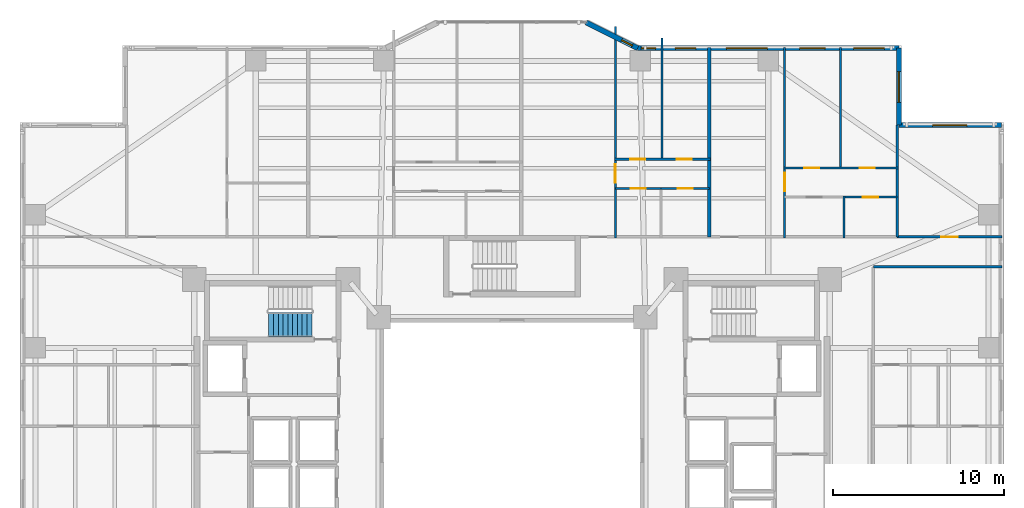
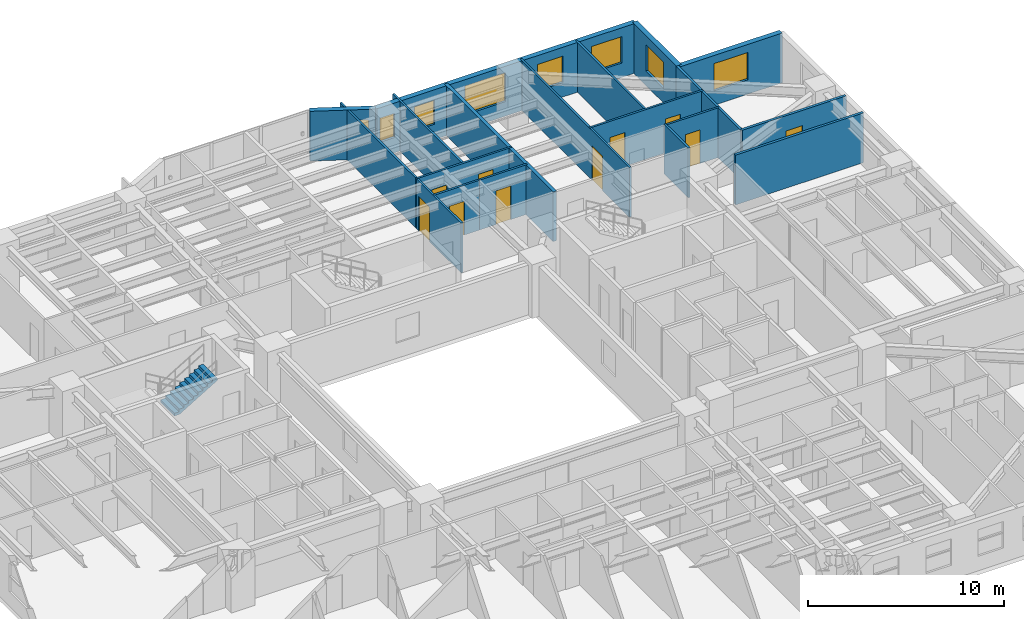
# One storey, part 16 of 22: 18 walls, 10 doors, 8 windows, 1 stair flight, 18 openings, 1 element without a shape of its own.
"""IFC4 building model written with IfcOpenShell, lengths in metres."""

import ifcopenshell
import ifcopenshell.guid

model = None  # the IFC model being written
_history = None  # IfcOwnerHistory: only IFC2X3 demands one
_inside = {}  # id of a spatial element -> (the spatial element, [elements in it])
_under = {}  # id of a project, library or spatial element -> (it, [spatial elements below it])
_declared = {}  # id of a project -> (the project, [libraries it declares])
_typed = {}  # id of a type object -> (the type object, [elements of that type])
_made_of = {}  # id of a material, layer set ... -> (it, [elements and type objects made of it])


def new_model(schema):
    """Start an empty IFC model of exactly this schema.

    Asked for "IFC4X3", IfcOpenShell would pick the latest addendum, in which some entities
    have other attributes; the version numbers below select the first issue.
    IFC2X3 requires an IfcOwnerHistory on every rooted entity: one is made here for all.
    """
    global model, _history
    if schema == "IFC4X3":
        model = ifcopenshell.file(schema_version=(4, 3, 0, 0))
    else:
        model = ifcopenshell.file(schema=schema)
    _inside.clear()
    _under.clear()
    _declared.clear()
    _typed.clear()
    _made_of.clear()
    _history = None
    if model.schema == "IFC2X3":
        org = make("IfcOrganization", Name="unknown")
        user = make(
            "IfcPersonAndOrganization",
            ThePerson=make("IfcPerson", FamilyName="unknown"),
            TheOrganization=org,
        )
        app = make(
            "IfcApplication",
            ApplicationDeveloper=org,
            Version="unknown",
            ApplicationFullName="unknown",
            ApplicationIdentifier="unknown",
        )
        _history = make(
            "IfcOwnerHistory",
            OwningUser=user,
            OwningApplication=app,
            ChangeAction="ADDED",
            CreationDate=0,
        )
    return model


def make(cls, **values):
    """One entity of the class cls with the attributes given. An attribute that is None is left unset."""
    return model.create_entity(
        cls, **{name: value for name, value in values.items() if value is not None}
    )


def rooted(cls, **values):
    """An entity with a GlobalId (a new one), such as an element, a storey or a relation."""
    return make(cls, GlobalId=ifcopenshell.guid.new(), OwnerHistory=_history, **values)


def si_unit(unit_type, name, prefix=None):
    """IfcSIUnit, for example si_unit("LENGTHUNIT", "METRE", prefix="MILLI")."""
    return make("IfcSIUnit", UnitType=unit_type, Prefix=prefix, Name=name)


def assignment(units):
    """IfcUnitAssignment: the units of a project."""
    return None if units is None else make("IfcUnitAssignment", Units=units)


def point(xyz):
    """IfcCartesianPoint."""
    return None if xyz is None else make("IfcCartesianPoint", Coordinates=xyz)


def direction(xyz):
    """IfcDirection."""
    return None if xyz is None else make("IfcDirection", DirectionRatios=xyz)


def frame(location, z_axis=None, x_axis=None):
    """IfcAxis2Placement3D, a coordinate frame: its origin and axes. An axis left out is left unset."""
    return make(
        "IfcAxis2Placement3D",
        Location=point(location),
        Axis=direction(z_axis),
        RefDirection=direction(x_axis),
    )


def frame_2d(location, x_axis=None):
    """IfcAxis2Placement2D, a coordinate frame in the plane: its origin and x axis."""
    return make(
        "IfcAxis2Placement2D", Location=point(location), RefDirection=direction(x_axis)
    )


def origin():
    """The frame at (0, 0, 0) with its axes left unset."""
    return frame((0.0, 0.0, 0.0))


def place(relative_to, where):
    """IfcLocalPlacement: puts the frame where relative to a parent placement (None: the world)."""
    return make(
        "IfcLocalPlacement", PlacementRelTo=relative_to, RelativePlacement=where
    )


def context(
    kind, dimensions, precision=None, world=None, true_north=None, identifier=None
):
    """IfcGeometricRepresentationContext, for example the 3D "Model" context."""
    return make(
        "IfcGeometricRepresentationContext",
        ContextIdentifier=identifier,
        ContextType=kind,
        CoordinateSpaceDimension=dimensions,
        Precision=precision,
        WorldCoordinateSystem=world,
        TrueNorth=true_north,
    )


def subcontext(parent, identifier, kind, view, scale=None):
    """IfcGeometricRepresentationSubContext, for example "Body" below "Model"."""
    return make(
        "IfcGeometricRepresentationSubContext",
        ContextIdentifier=identifier,
        ContextType=kind,
        ParentContext=parent,
        TargetScale=scale,
        TargetView=view,
    )


def project(units=None, contexts=None):
    """IfcProject with its units and contexts."""
    return rooted(
        "IfcProject",
        Name="project",
        RepresentationContexts=contexts,
        UnitsInContext=assignment(units),
    )


def spatial(cls, under=None, at=None, **own):
    """A site, building, storey or space (cls), placed at a placement, below another one or the project."""
    s = rooted(cls, ObjectPlacement=at, **own)
    if under is not None:
        _under.setdefault(under.id(), (under, []))[1].append(s)
    return s


def polyline(points):
    """IfcPolyline through the points."""
    return make("IfcPolyline", Points=[point(p) for p in points])


def profile(cls, at=None, kind="AREA", **sizes):
    """A parametric profile (cls). Its sizes go by their IFC names, for example OverallWidth=200.0."""
    return make(cls, ProfileType=kind, Position=at, **sizes)


def rectangle(**sizes):
    """IfcRectangleProfileDef."""
    return profile("IfcRectangleProfileDef", **sizes)


def outline(outer, holes=None, kind="AREA"):
    """IfcArbitraryClosedProfileDef: a profile drawn as a closed curve; with holes, ...WithVoids."""
    if holes is None:
        return make("IfcArbitraryClosedProfileDef", ProfileType=kind, OuterCurve=outer)
    return make(
        "IfcArbitraryProfileDefWithVoids",
        ProfileType=kind,
        OuterCurve=outer,
        InnerCurves=holes,
    )


def extrude(swept, where, along, depth):
    """IfcExtrudedAreaSolid: the profile swept, set in the frame where, extruded along a direction by depth."""
    return make(
        "IfcExtrudedAreaSolid",
        SweptArea=swept,
        Position=where,
        ExtrudedDirection=direction(along),
        Depth=depth,
    )


def shape(context_of_items, identifier, shape_type, items):
    """IfcShapeRepresentation: the items that make up one representation, for example the "Body"."""
    return make(
        "IfcShapeRepresentation",
        ContextOfItems=context_of_items,
        RepresentationIdentifier=identifier,
        RepresentationType=shape_type,
        Items=items,
    )


def material(Name=None, Category=None):
    """IfcMaterial."""
    return make("IfcMaterial", Name=Name, Category=Category)


def layer(
    of_material, thickness, ventilated=None, Name=None, Category=None, Priority=None
):
    """IfcMaterialLayer: one layer of a wall or slab, of a material (None: an air gap)."""
    return make(
        "IfcMaterialLayer",
        Material=of_material,
        LayerThickness=thickness,
        IsVentilated=ventilated,
        Name=Name,
        Category=Category,
        Priority=Priority,
    )


def layer_set(layers, Name=None):
    """IfcMaterialLayerSet."""
    return make("IfcMaterialLayerSet", MaterialLayers=layers, LayerSetName=Name)


def made_of(thing, what):
    """Note that an element or type object is made of a material, layer set ...; save() writes the relation."""
    if what is not None:
        _made_of.setdefault(what.id(), (what, []))[1].append(thing)
    return thing


def type_object(cls, material=None, **own):
    """A type object (cls), such as IfcWallType, which elements share."""
    return made_of(rooted(cls, **own), material)


def element(
    cls,
    number,
    at=None,
    inside=None,
    cuts=None,
    type_object=None,
    material=None,
    context=None,
    identifier="Body",
    shape_type=None,
    held_by="IfcProductDefinitionShape",
    body=None,
    shapes=None,
    **own,
):
    """One element of the class cls, such as IfcWall. Its Tag is "e" and its number.

    at: its placement. inside: the storey or other place that contains it. cuts: it is an
    opening in that element (IfcRelVoidsElement). A single representation is given by context,
    identifier, shape_type and body (its items); several are given by shapes. held_by: the class
    of the entity that holds the representations. save() writes the other relations.
    """
    e = rooted(cls, Tag="e%d" % number, ObjectPlacement=at, **own)
    if body is not None:
        shapes = [shape(context, identifier, shape_type, body)]
    if shapes is not None:
        e.Representation = make(held_by, Representations=shapes)
    if inside is not None:
        _inside.setdefault(inside.id(), (inside, []))[1].append(e)
    if cuts is not None:
        rooted(
            "IfcRelVoidsElement", RelatingBuildingElement=cuts, RelatedOpeningElement=e
        )
    if type_object is not None:
        _typed.setdefault(type_object.id(), (type_object, []))[1].append(e)
    return made_of(e, material)


def fill(opening, filler):
    """IfcRelFillsElement: the door or window that sits in an opening."""
    return rooted(
        "IfcRelFillsElement",
        RelatingOpeningElement=opening,
        RelatedBuildingElement=filler,
    )


def aggregate(whole, parts):
    """IfcRelAggregates: a whole, such as a stair, and the parts it consists of."""
    return rooted("IfcRelAggregates", RelatingObject=whole, RelatedObjects=parts)


def save(model, path):
    """Write the relations noted so far, then the file.

    IfcRelAggregates (storeys below a building ...), IfcRelContainedInSpatialStructure (elements
    in a storey), IfcRelDefinesByType, IfcRelAssociatesMaterial and IfcRelDeclares: one each for
    every whole, place, type object, material and project.
    """
    for whole, parts in _under.values():
        aggregate(whole, parts)
    for where, things in _inside.values():
        rooted(
            "IfcRelContainedInSpatialStructure",
            RelatedElements=things,
            RelatingStructure=where,
        )
    for kind, things in _typed.values():
        rooted("IfcRelDefinesByType", RelatedObjects=things, RelatingType=kind)
    for what, things in _made_of.values():
        rooted("IfcRelAssociatesMaterial", RelatedObjects=things, RelatingMaterial=what)
    for by, libraries in _declared.values():
        rooted("IfcRelDeclares", RelatingContext=by, RelatedDefinitions=libraries)
    model.write(path)


model = new_model("IFC4")

# Units and contexts
model_context = context("Model", 3, precision=1e-05, world=origin(), true_north=direction((0.0, 1.0)))
body_context = subcontext(model_context, "Body", "Model", "MODEL_VIEW")
ifc_project = project(units=[si_unit("LENGTHUNIT", "METRE"), si_unit("AREAUNIT", "SQUARE_METRE"), si_unit("VOLUMEUNIT", "CUBIC_METRE"), si_unit("PLANEANGLEUNIT", "RADIAN"), si_unit("MASSUNIT", "GRAM", prefix="KILO")], contexts=[model_context])

# Site, building, storey
site_placement = place(None, origin())
site = spatial("IfcSite", under=ifc_project, at=site_placement, CompositionType="ELEMENT")
building_placement = place(site_placement, origin())
building = spatial("IfcBuilding", under=site, at=building_placement, Name="Tarnavaz Court Tower", CompositionType="ELEMENT")
storey_placement = place(building_placement, frame((0.0, 0.0, 27.35009765625)))
storey = spatial("IfcBuildingStorey", under=building, at=storey_placement, Name="L06", CompositionType="ELEMENT", Elevation=27.35009765625)

# Wall, opening, window
ifc_material_1 = material(Name="Precast Concrete C40/50", Category="concrete")
ifc_layer_1 = layer(ifc_material_1, 0.300048828125)
ifc_layer_set_1 = layer_set([ifc_layer_1], Name="Precast Concrete C40/50")
wall_type_1 = type_object("IfcWallType", Name="WL-EXT-300", PredefinedType="SOLIDWALL", material=ifc_layer_set_1)
wall_1_placement = place(storey_placement, frame((4.35009765625, 25.050048828125, 0.0), z_axis=(0.0, 0.0, 1.0), x_axis=(0.894427191, -0.4472135955, 0.0)))
wall_1 = element("IfcWall", 1, at=wall_1_placement, inside=storey, type_object=wall_type_1, Name="L06 Exterior Terracotta Facade Wall 08", PredefinedType="SOLIDWALL", context=body_context, shape_type="SweptSolid", body=[
    extrude(rectangle(XDim=3.35400390625, YDim=0.300048828125, at=frame_2d((1.677001953125, 0.0))), origin(), (0.0, 0.0, 1.0), 3.099853515625),
])
opening_1_placement = place(wall_1_placement, frame((2.308349609375, 0.0, 0.949951171875)))
opening_1 = element("IfcOpeningElement", 2, at=opening_1_placement, cuts=wall_1, Name="Opening W16", PredefinedType="OPENING", context=body_context, shape_type="SweptSolid", body=[
    extrude(rectangle(XDim=0.699951171875, YDim=1.5, at=frame_2d((0.35009765625, 0.75))), frame((0.0, 0.159912109375, 0.0), z_axis=(0.0, -1.0, 0.0), x_axis=(1.0, 0.0, 0.0)), (0.0, 0.0, 1.0), 0.320068359375),
])
ifc_material_2 = material(Name="Double-Glazed Solar Low-E Glass", Category="glass")
window_type_1 = type_object("IfcWindowType", Name="WN-APT-700", PartitioningType="SINGLE_PANEL", PredefinedType="WINDOW", material=ifc_material_2)
window_1_placement = place(opening_1_placement, origin())
window_1 = element("IfcWindow", 3, at=window_1_placement, inside=storey, type_object=window_type_1, Name="L06 Flat 03 Principal Bedroom Window", OverallHeight=1.5, OverallWidth=0.699951171875, PartitioningType="SINGLE_PANEL", PredefinedType="WINDOW", context=body_context, shape_type="SweptSolid", body=[
    extrude(rectangle(XDim=0.699951171875, YDim=1.5, at=frame_2d((0.35009765625, 0.75))), frame((0.0, 0.030029296875, 0.0), z_axis=(0.0, -1.0, 0.0), x_axis=(1.0, 0.0, 0.0)), (0.0, 0.0, 1.0), 0.06005859375),
])
fill(opening_1, window_1)

# Wall, openings, windows
wall_2_placement = place(storey_placement, frame((7.35009765625, 23.550048828125, 0.0), z_axis=(0.0, 0.0, 1.0), x_axis=(1.0, 0.0, 0.0)))
wall_2 = element("IfcWall", 4, at=wall_2_placement, inside=storey, type_object=wall_type_1, Name="L06 Exterior Terracotta Facade Wall 09", PredefinedType="SOLIDWALL", context=body_context, shape_type="SweptSolid", body=[
    extrude(rectangle(XDim=15.2998046875, YDim=0.300048828125, at=frame_2d((7.64990234375, 0.0))), origin(), (0.0, 0.0, 1.0), 3.099853515625),
])
opening_2_placement = place(wall_2_placement, frame((0.205078125, 0.0, 0.949951171875)))
opening_2 = element("IfcOpeningElement", 5, at=opening_2_placement, cuts=wall_2, Name="Opening W15", PredefinedType="OPENING", context=body_context, shape_type="SweptSolid", body=[
    extrude(rectangle(XDim=0.85009765625, YDim=1.5, at=frame_2d((0.425048828125, 0.75))), frame((0.0, 0.159912109375, 0.0), z_axis=(0.0, -1.0, 0.0), x_axis=(1.0, 0.0, 0.0)), (0.0, 0.0, 1.0), 0.320068359375),
])
opening_3_placement = place(wall_2_placement, frame((2.209228515625, 0.0, 0.949951171875)))
opening_3 = element("IfcOpeningElement", 6, at=opening_3_placement, cuts=wall_2, Name="Opening W05", PredefinedType="OPENING", context=body_context, shape_type="SweptSolid", body=[
    extrude(rectangle(XDim=1.199951171875, YDim=1.5, at=frame_2d((0.60009765625, 0.75))), frame((0.0, 0.159912109375, 0.0), z_axis=(0.0, -1.0, 0.0), x_axis=(1.0, 0.0, 0.0)), (0.0, 0.0, 1.0), 0.320068359375),
])
opening_4_placement = place(wall_2_placement, frame((5.19580078125, 0.0, 0.89990234375)))
opening_4 = element("IfcOpeningElement", 7, at=opening_4_placement, cuts=wall_2, Name="Opening W06", PredefinedType="OPENING", context=body_context, shape_type="SweptSolid", body=[
    extrude(rectangle(XDim=2.39990234375, YDim=1.800048828125, at=frame_2d((1.199951171875, 0.89990234375))), frame((0.0, 0.159912109375, 0.0), z_axis=(0.0, -1.0, 0.0), x_axis=(1.0, 0.0, 0.0)), (0.0, 0.0, 1.0), 0.320068359375),
])
opening_5_placement = place(wall_2_placement, frame((9.4833984375, 0.0, 0.89990234375)))
opening_5 = element("IfcOpeningElement", 8, at=opening_5_placement, cuts=wall_2, Name="Opening W03", PredefinedType="OPENING", context=body_context, shape_type="SweptSolid", body=[
    extrude(rectangle(XDim=1.5, YDim=1.64990234375, at=frame_2d((0.75, 0.824951171875))), frame((0.0, 0.159912109375, 0.0), z_axis=(0.0, -1.0, 0.0), x_axis=(1.0, 0.0, 0.0)), (0.0, 0.0, 1.0), 0.320068359375),
])
opening_6_placement = place(wall_2_placement, frame((12.644287109375, 0.0, 0.89990234375)))
opening_6 = element("IfcOpeningElement", 9, at=opening_6_placement, cuts=wall_2, Name="Opening W01", PredefinedType="OPENING", context=body_context, shape_type="SweptSolid", body=[
    extrude(rectangle(XDim=1.800048828125, YDim=1.64990234375, at=frame_2d((0.89990234375, 0.824951171875))), frame((0.0, 0.159912109375, 0.0), z_axis=(0.0, -1.0, 0.0), x_axis=(1.0, 0.0, 0.0)), (0.0, 0.0, 1.0), 0.320068359375),
])
window_type_2 = type_object("IfcWindowType", Name="WN-APT-1200", PartitioningType="SINGLE_PANEL", PredefinedType="WINDOW", material=ifc_material_2)
window_2_placement = place(opening_3_placement, origin())
window_2 = element("IfcWindow", 10, at=window_2_placement, inside=storey, type_object=window_type_2, Name="L06 Flat 03 Bedroom 2 Window", OverallHeight=1.5, OverallWidth=1.199951171875, PartitioningType="SINGLE_PANEL", PredefinedType="WINDOW", context=body_context, shape_type="SweptSolid", body=[
    extrude(rectangle(XDim=1.199951171875, YDim=1.5, at=frame_2d((0.60009765625, 0.75))), frame((0.0, 0.030029296875, 0.0), z_axis=(0.0, -1.0, 0.0), x_axis=(1.0, 0.0, 0.0)), (0.0, 0.0, 1.0), 0.06005859375),
])
fill(opening_3, window_2)
window_type_3 = type_object("IfcWindowType", Name="WN-APT-1500", PartitioningType="DOUBLE_PANEL_VERTICAL", PredefinedType="WINDOW", material=ifc_material_2)
window_3_placement = place(opening_5_placement, origin())
window_3 = element("IfcWindow", 11, at=window_3_placement, inside=storey, type_object=window_type_3, Name="L06 Flat 04 Principal Bedroom Window", OverallHeight=1.64990234375, OverallWidth=1.5, PartitioningType="SINGLE_PANEL", PredefinedType="WINDOW", context=body_context, shape_type="SweptSolid", body=[
    extrude(rectangle(XDim=1.5, YDim=1.64990234375, at=frame_2d((0.75, 0.824951171875))), frame((0.0, 0.030029296875, 0.0), z_axis=(0.0, -1.0, 0.0), x_axis=(1.0, 0.0, 0.0)), (0.0, 0.0, 1.0), 0.06005859375),
])
fill(opening_5, window_3)
window_type_4 = type_object("IfcWindowType", Name="WN-APT-1800", PartitioningType="DOUBLE_PANEL_VERTICAL", PredefinedType="WINDOW", material=ifc_material_2)
window_4_placement = place(opening_6_placement, origin())
window_4 = element("IfcWindow", 12, at=window_4_placement, inside=storey, type_object=window_type_4, Name="L06 Flat 04 Bedroom 2 Window", OverallHeight=1.64990234375, OverallWidth=1.800048828125, PartitioningType="SINGLE_PANEL", PredefinedType="WINDOW", context=body_context, shape_type="SweptSolid", body=[
    extrude(rectangle(XDim=1.800048828125, YDim=1.64990234375, at=frame_2d((0.89990234375, 0.824951171875))), frame((0.0, 0.030029296875, 0.0), z_axis=(0.0, -1.0, 0.0), x_axis=(1.0, 0.0, 0.0)), (0.0, 0.0, 1.0), 0.06005859375),
])
fill(opening_6, window_4)
window_type_5 = type_object("IfcWindowType", Name="WN-APT-2400", PartitioningType="TRIPLE_PANEL_VERTICAL", PredefinedType="WINDOW", material=ifc_material_2)
window_5_placement = place(opening_4_placement, origin())
window_5 = element("IfcWindow", 13, at=window_5_placement, inside=storey, type_object=window_type_5, Name="L06 Flat 04 Living and Dining Room Window", OverallHeight=1.800048828125, OverallWidth=2.39990234375, PartitioningType="SINGLE_PANEL", PredefinedType="WINDOW", context=body_context, shape_type="SweptSolid", body=[
    extrude(rectangle(XDim=2.39990234375, YDim=1.800048828125, at=frame_2d((1.199951171875, 0.89990234375))), frame((0.0, 0.030029296875, 0.0), z_axis=(0.0, -1.0, 0.0), x_axis=(1.0, 0.0, 0.0)), (0.0, 0.0, 1.0), 0.06005859375),
])
fill(opening_4, window_5)
window_type_6 = type_object("IfcWindowType", Name="WN-APT-850", PartitioningType="SINGLE_PANEL", PredefinedType="WINDOW", material=ifc_material_2)
window_6_placement = place(opening_2_placement, origin())
window_6 = element("IfcWindow", 14, at=window_6_placement, inside=storey, type_object=window_type_6, Name="L06 Flat 03 Principal Bedroom Window", OverallHeight=1.5, OverallWidth=0.85009765625, PartitioningType="SINGLE_PANEL", PredefinedType="WINDOW", context=body_context, shape_type="SweptSolid", body=[
    extrude(rectangle(XDim=0.85009765625, YDim=1.5, at=frame_2d((0.425048828125, 0.75))), frame((0.0, 0.030029296875, 0.0), z_axis=(0.0, -1.0, 0.0), x_axis=(1.0, 0.0, 0.0)), (0.0, 0.0, 1.0), 0.06005859375),
])
fill(opening_2, window_6)

# Wall, opening, window
wall_3_placement = place(storey_placement, frame((22.64990234375, 23.550048828125, 0.0), z_axis=(0.0, 0.0, 1.0), x_axis=(0.0, -1.0, 0.0)))
wall_3 = element("IfcWall", 15, at=wall_3_placement, inside=storey, type_object=wall_type_1, Name="L06 Exterior Terracotta Facade Wall 10", PredefinedType="SOLIDWALL", context=body_context, shape_type="SweptSolid", body=[
    extrude(rectangle(XDim=4.5, YDim=0.300048828125, at=frame_2d((2.25, 0.0))), origin(), (0.0, 0.0, 1.0), 3.099853515625),
])
opening_7_placement = place(wall_3_placement, frame((1.367431640625, 0.0, 0.89990234375)))
opening_7 = element("IfcOpeningElement", 16, at=opening_7_placement, cuts=wall_3, Name="Opening W01", PredefinedType="OPENING", context=body_context, shape_type="SweptSolid", body=[
    extrude(rectangle(XDim=1.800048828125, YDim=1.64990234375, at=frame_2d((0.89990234375, 0.824951171875))), frame((0.0, 0.159912109375, 0.0), z_axis=(0.0, -1.0, 0.0), x_axis=(1.0, 0.0, 0.0)), (0.0, 0.0, 1.0), 0.320068359375),
])
window_7_placement = place(opening_7_placement, origin())
window_7 = element("IfcWindow", 17, at=window_7_placement, inside=storey, type_object=window_type_4, Name="L06 Flat 04 Bedroom 2 Window", OverallHeight=1.64990234375, OverallWidth=1.800048828125, PartitioningType="SINGLE_PANEL", PredefinedType="WINDOW", context=body_context, shape_type="SweptSolid", body=[
    extrude(rectangle(XDim=1.800048828125, YDim=1.64990234375, at=frame_2d((0.89990234375, 0.824951171875))), frame((0.0, 0.030029296875, 0.0), z_axis=(0.0, -1.0, 0.0), x_axis=(1.0, 0.0, 0.0)), (0.0, 0.0, 1.0), 0.06005859375),
])
fill(opening_7, window_7)

wall_4_placement = place(storey_placement, frame((22.64990234375, 19.050048828125, 0.0), z_axis=(0.0, 0.0, 1.0), x_axis=(1.0, 0.0, 0.0)))
wall_4 = element("IfcWall", 18, at=wall_4_placement, inside=storey, type_object=wall_type_1, Name="L06 Exterior Terracotta Facade Wall 11", PredefinedType="SOLIDWALL", context=body_context, shape_type="SweptSolid", body=[
    extrude(rectangle(XDim=6.0, YDim=0.300048828125, at=frame_2d((3.0, 0.0))), origin(), (0.0, 0.0, 1.0), 3.099853515625),
])
opening_8_placement = place(wall_4_placement, frame((1.97509765625, 0.0, 0.89990234375)))
opening_8 = element("IfcOpeningElement", 19, at=opening_8_placement, cuts=wall_4, Name="Opening W08", PredefinedType="OPENING", context=body_context, shape_type="SweptSolid", body=[
    extrude(rectangle(XDim=2.0, YDim=1.699951171875, at=frame_2d((1.0, 0.85009765625))), frame((0.0, 0.159912109375, 0.0), z_axis=(0.0, -1.0, 0.0), x_axis=(1.0, 0.0, 0.0)), (0.0, 0.0, 1.0), 0.320068359375),
])
window_type_7 = type_object("IfcWindowType", Name="WN-APT-2000", PartitioningType="DOUBLE_PANEL_VERTICAL", PredefinedType="WINDOW", material=ifc_material_2)
window_8_placement = place(opening_8_placement, origin())
window_8 = element("IfcWindow", 20, at=window_8_placement, inside=storey, type_object=window_type_7, Name="L06 North-East Corner Sunroom Study Window", OverallHeight=1.699951171875, OverallWidth=2.0, PartitioningType="SINGLE_PANEL", PredefinedType="WINDOW", context=body_context, shape_type="SweptSolid", body=[
    extrude(rectangle(XDim=2.0, YDim=1.699951171875, at=frame_2d((1.0, 0.85009765625))), frame((0.0, 0.030029296875, 0.0), z_axis=(0.0, -1.0, 0.0), x_axis=(1.0, 0.0, 0.0)), (0.0, 0.0, 1.0), 0.06005859375),
])
fill(opening_8, window_8)

# Wall
ifc_material_3 = material(Name="Gypsum Fire-Board on Acoustic Metal Stud", Category="masonry")
ifc_layer_2 = layer(ifc_material_3, 0.14990234375)
ifc_layer_set_2 = layer_set([ifc_layer_2], Name="Gypsum Fire-Board on Acoustic Metal Stud")
wall_type_2 = type_object("IfcWallType", Name="WL-FIRE-150", PredefinedType="PARTITIONING", material=ifc_layer_set_2)
wall_5_placement = place(storey_placement, frame((21.14990234375, 10.75, 0.0), z_axis=(0.0, 0.0, 1.0), x_axis=(1.0, 0.0, 0.0)))
element("IfcWall", 21, at=wall_5_placement, inside=storey, type_object=wall_type_2, Name="L06 Interior Partition 148", PredefinedType="PARTITIONING", context=body_context, shape_type="SweptSolid", body=[
    extrude(rectangle(XDim=7.530029296875, YDim=0.14990234375, at=frame_2d((3.76513671875, 0.0))), origin(), (0.0, 0.0, 1.0), 3.099853515625),
])

# Wall, opening, door
wall_6_placement = place(storey_placement, frame((22.550048828125, 12.5, 0.0), z_axis=(0.0, 0.0, 1.0), x_axis=(1.0, 0.0, 0.0)))
wall_6 = element("IfcWall", 22, at=wall_6_placement, inside=storey, type_object=wall_type_2, Name="L06 Interior Partition 154", PredefinedType="PARTITIONING", context=body_context, shape_type="SweptSolid", body=[
    extrude(rectangle(XDim=6.1298828125, YDim=0.14990234375, at=frame_2d((3.06494140625, 0.0))), origin(), (0.0, 0.0, 1.0), 3.099853515625),
])
opening_9_placement = place(wall_6_placement, frame((2.590087890625, 0.0, 0.0)))
opening_9 = element("IfcOpeningElement", 23, at=opening_9_placement, cuts=wall_6, Name="Opening D13", PredefinedType="OPENING", context=body_context, shape_type="SweptSolid", body=[
    extrude(rectangle(XDim=0.949951171875, YDim=2.14990234375, at=frame_2d((0.47509765625, 1.074951171875))), frame((0.0, 0.0849609375, 0.0), z_axis=(0.0, -1.0, 0.0), x_axis=(1.0, 0.0, 0.0)), (0.0, 0.0, 1.0), 0.169921875),
])
ifc_material_4 = material(Name="Engineered Oak Timber", Category="wood")
door_type_1 = type_object("IfcDoorType", Name="DR-INT-950", OperationType="NOTDEFINED", PredefinedType="DOOR", material=ifc_material_4)
door_1_placement = place(opening_9_placement, origin())
door_1 = element("IfcDoor", 24, at=door_1_placement, inside=storey, type_object=door_type_1, Name="L06 NE Sunroom Door", OperationType="SINGLE_SWING_RIGHT", OverallHeight=2.14990234375, OverallWidth=0.949951171875, PredefinedType="DOOR", context=body_context, shape_type="SweptSolid", body=[
    extrude(rectangle(XDim=0.949951171875, YDim=2.14990234375, at=frame_2d((0.47509765625, 1.074951171875))), frame((0.0, 0.02490234375, 0.0), z_axis=(0.0, -1.0, 0.0), x_axis=(1.0, 0.0, 0.0)), (0.0, 0.0, 1.0), 0.050048828125),
])
fill(opening_9, door_1)

# Wall
ifc_material_5 = material(Name="Autoclaved Aerated Concrete Blockwork", Category="masonry")
ifc_layer_3 = layer(ifc_material_5, 0.199951171875)
ifc_layer_set_3 = layer_set([ifc_layer_3], Name="Autoclaved Aerated Concrete Blockwork")
wall_type_3 = type_object("IfcWallType", Name="WL-FIRE-200", PredefinedType="SOLIDWALL", material=ifc_layer_set_3)
wall_7_placement = place(storey_placement, frame((11.550048828125, 12.5, 0.0), z_axis=(0.0, 0.0, 1.0), x_axis=(0.0, 1.0, 0.0)))
element("IfcWall", 25, at=wall_7_placement, inside=storey, type_object=wall_type_3, Name="L06 Party Wall 099", PredefinedType="SOLIDWALL", context=body_context, shape_type="SweptSolid", body=[
    extrude(rectangle(XDim=11.10009765625, YDim=0.199951171875, at=frame_2d((5.550048828125, 0.0))), origin(), (0.0, 0.0, 1.0), 3.099853515625),
])

# Wall, opening, door
ifc_material_6 = material(Name="Moisture-Resistant Gypsum Board Partition", Category="masonry")
ifc_layer_4 = layer(ifc_material_6, 0.1201171875)
ifc_layer_set_4 = layer_set([ifc_layer_4], Name="Moisture-Resistant Gypsum Board Partition")
wall_type_4 = type_object("IfcWallType", Name="WL-PART-120", PredefinedType="PARTITIONING", material=ifc_layer_set_4)
wall_8_placement = place(storey_placement, frame((6.050048828125, 12.43994140625, 0.0), z_axis=(0.0, 0.0, 1.0), x_axis=(0.0, 1.0, 0.0)))
wall_8 = element("IfcWall", 26, at=wall_8_placement, inside=storey, type_object=wall_type_4, Name="L06 Interior Partition 100", PredefinedType="PARTITIONING", context=body_context, shape_type="SweptSolid", body=[
    extrude(rectangle(XDim=12.381103515625, YDim=0.1201171875, at=frame_2d((6.1904296875, 0.0))), origin(), (0.0, 0.0, 1.0), 3.099853515625),
])
opening_10_placement = place(wall_8_placement, frame((3.2451171875, 0.0, 0.0)))
opening_10 = element("IfcOpeningElement", 27, at=opening_10_placement, cuts=wall_8, Name="Opening D12", PredefinedType="OPENING", context=body_context, shape_type="SweptSolid", body=[
    extrude(rectangle(XDim=1.080078125, YDim=2.14990234375, at=frame_2d((0.5400390625, 1.074951171875))), frame((0.0, 0.070068359375, 0.0), z_axis=(0.0, -1.0, 0.0), x_axis=(1.0, 0.0, 0.0)), (0.0, 0.0, 1.0), 0.14013671875),
])
door_type_2 = type_object("IfcDoorType", Name="DR-INT-1100", OperationType="NOTDEFINED", PredefinedType="DOOR", material=ifc_material_4)
door_2_placement = place(opening_10_placement, origin())
door_2 = element("IfcDoor", 28, at=door_2_placement, inside=storey, type_object=door_type_2, Name="L06 Flat 03 Foyer Door", OperationType="SINGLE_SWING_RIGHT", OverallHeight=2.14990234375, OverallWidth=1.080078125, PredefinedType="DOOR", context=body_context, shape_type="SweptSolid", body=[
    extrude(rectangle(XDim=1.080078125, YDim=2.14990234375, at=frame_2d((0.5400390625, 1.074951171875))), frame((0.0, 0.02490234375, 0.0), z_axis=(0.0, -1.0, 0.0), x_axis=(1.0, 0.0, 0.0)), (0.0, 0.0, 1.0), 0.050048828125),
])
fill(opening_10, door_2)

wall_9_placement = place(storey_placement, frame((6.050048828125, 15.340087890625, 0.0), z_axis=(0.0, 0.0, 1.0), x_axis=(1.0, 0.0, 0.0)))
wall_9 = element("IfcWall", 29, at=wall_9_placement, inside=storey, type_object=wall_type_4, Name="L06 Interior Partition 101", PredefinedType="PARTITIONING", context=body_context, shape_type="SweptSolid", body=[
    extrude(rectangle(XDim=2.666015625, YDim=0.1201171875, at=frame_2d((1.3330078125, 0.0))), origin(), (0.0, 0.0, 1.0), 3.099853515625),
])
opening_11_placement = place(wall_9_placement, frame((0.89306640625, 0.0, 0.0)))
opening_11 = element("IfcOpeningElement", 30, at=opening_11_placement, cuts=wall_9, Name="Opening D14", PredefinedType="OPENING", context=body_context, shape_type="SweptSolid", body=[
    extrude(rectangle(XDim=0.8798828125, YDim=2.10009765625, at=frame_2d((0.43994140625, 1.050048828125))), frame((0.0, 0.070068359375, 0.0), z_axis=(0.0, -1.0, 0.0), x_axis=(1.0, 0.0, 0.0)), (0.0, 0.0, 1.0), 0.14013671875),
])
door_type_3 = type_object("IfcDoorType", Name="DR-INT-900", OperationType="NOTDEFINED", PredefinedType="DOOR", material=ifc_material_4)
door_3_placement = place(opening_11_placement, origin())
door_3 = element("IfcDoor", 31, at=door_3_placement, inside=storey, type_object=door_type_3, Name="L06 Flat 03 Kitchen Door", OperationType="SINGLE_SWING_LEFT", OverallHeight=2.10009765625, OverallWidth=0.8798828125, PredefinedType="DOOR", context=body_context, shape_type="SweptSolid", body=[
    extrude(rectangle(XDim=0.8798828125, YDim=2.10009765625, at=frame_2d((0.43994140625, 1.050048828125))), frame((0.0, 0.02490234375, 0.0), z_axis=(0.0, -1.0, 0.0), x_axis=(1.0, 0.0, 0.0)), (0.0, 0.0, 1.0), 0.050048828125),
])
fill(opening_11, door_3)

wall_10_placement = place(storey_placement, frame((8.716064453125, 15.340087890625, 0.0), z_axis=(0.0, 0.0, 1.0), x_axis=(1.0, 0.0, 0.0)))
wall_10 = element("IfcWall", 32, at=wall_10_placement, inside=storey, type_object=wall_type_4, Name="L06 Interior Partition 102", PredefinedType="PARTITIONING", context=body_context, shape_type="SweptSolid", body=[
    extrude(rectangle(XDim=2.833984375, YDim=0.1201171875, at=frame_2d((1.4169921875, 0.0))), origin(), (0.0, 0.0, 1.0), 3.099853515625),
])
opening_12_placement = place(wall_10_placement, frame((0.97705078125, 0.0, 0.0)))
opening_12 = element("IfcOpeningElement", 33, at=opening_12_placement, cuts=wall_10, Name="Opening D14", PredefinedType="OPENING", context=body_context, shape_type="SweptSolid", body=[
    extrude(rectangle(XDim=0.8798828125, YDim=2.10009765625, at=frame_2d((0.43994140625, 1.050048828125))), frame((0.0, 0.070068359375, 0.0), z_axis=(0.0, -1.0, 0.0), x_axis=(1.0, 0.0, 0.0)), (0.0, 0.0, 1.0), 0.14013671875),
])
door_4_placement = place(opening_12_placement, origin())
door_4 = element("IfcDoor", 34, at=door_4_placement, inside=storey, type_object=door_type_3, Name="L06 Flat 03 Bathroom Door", OperationType="SINGLE_SWING_RIGHT", OverallHeight=2.10009765625, OverallWidth=0.8798828125, PredefinedType="DOOR", context=body_context, shape_type="SweptSolid", body=[
    extrude(rectangle(XDim=0.8798828125, YDim=2.10009765625, at=frame_2d((0.43994140625, 1.050048828125))), frame((0.0, 0.02490234375, 0.0), z_axis=(0.0, -1.0, 0.0), x_axis=(1.0, 0.0, 0.0)), (0.0, 0.0, 1.0), 0.050048828125),
])
fill(opening_12, door_4)

# Wall, openings, doors
wall_11_placement = place(storey_placement, frame((5.989990234375, 17.050048828125, 0.0), z_axis=(0.0, 0.0, 1.0), x_axis=(1.0, 0.0, 0.0)))
wall_11 = element("IfcWall", 35, at=wall_11_placement, inside=storey, type_object=wall_type_4, Name="L06 Interior Partition 103", PredefinedType="PARTITIONING", context=body_context, shape_type="SweptSolid", body=[
    extrude(rectangle(XDim=5.6201171875, YDim=0.1201171875, at=frame_2d((2.81005859375, 0.0))), origin(), (0.0, 0.0, 1.0), 3.099853515625),
])
opening_13_placement = place(wall_11_placement, frame((0.919921875, 0.0, 0.0)))
opening_13 = element("IfcOpeningElement", 36, at=opening_13_placement, cuts=wall_11, Name="Opening D14", PredefinedType="OPENING", context=body_context, shape_type="SweptSolid", body=[
    extrude(rectangle(XDim=0.8798828125, YDim=2.10009765625, at=frame_2d((0.43994140625, 1.050048828125))), frame((0.0, 0.070068359375, 0.0), z_axis=(0.0, -1.0, 0.0), x_axis=(1.0, 0.0, 0.0)), (0.0, 0.0, 1.0), 0.14013671875),
])
opening_14_placement = place(wall_11_placement, frame((3.639892578125, 0.0, 0.0)))
opening_14 = element("IfcOpeningElement", 37, at=opening_14_placement, cuts=wall_11, Name="Opening D14", PredefinedType="OPENING", context=body_context, shape_type="SweptSolid", body=[
    extrude(rectangle(XDim=0.8798828125, YDim=2.10009765625, at=frame_2d((0.43994140625, 1.050048828125))), frame((0.0, 0.070068359375, 0.0), z_axis=(0.0, -1.0, 0.0), x_axis=(1.0, 0.0, 0.0)), (0.0, 0.0, 1.0), 0.14013671875),
])
door_5_placement = place(opening_13_placement, origin())
door_5 = element("IfcDoor", 38, at=door_5_placement, inside=storey, type_object=door_type_3, Name="L06 Flat 03 Bedroom 1 Door", OperationType="SINGLE_SWING_LEFT", OverallHeight=2.10009765625, OverallWidth=0.8798828125, PredefinedType="DOOR", context=body_context, shape_type="SweptSolid", body=[
    extrude(rectangle(XDim=0.8798828125, YDim=2.10009765625, at=frame_2d((0.43994140625, 1.050048828125))), frame((0.0, 0.02490234375, 0.0), z_axis=(0.0, -1.0, 0.0), x_axis=(1.0, 0.0, 0.0)), (0.0, 0.0, 1.0), 0.050048828125),
])
fill(opening_13, door_5)
door_6_placement = place(opening_14_placement, origin())
door_6 = element("IfcDoor", 39, at=door_6_placement, inside=storey, type_object=door_type_3, Name="L06 Flat 03 Bedroom 2 Door", OperationType="SINGLE_SWING_RIGHT", OverallHeight=2.10009765625, OverallWidth=0.8798828125, PredefinedType="DOOR", context=body_context, shape_type="SweptSolid", body=[
    extrude(rectangle(XDim=0.8798828125, YDim=2.10009765625, at=frame_2d((0.43994140625, 1.050048828125))), frame((0.0, 0.02490234375, 0.0), z_axis=(0.0, -1.0, 0.0), x_axis=(1.0, 0.0, 0.0)), (0.0, 0.0, 1.0), 0.050048828125),
])
fill(opening_14, door_6)

# Wall
wall_12_placement = place(storey_placement, frame((8.77001953125, 16.989990234375, 0.0), z_axis=(0.0, 0.0, 1.0), x_axis=(0.0, 1.0, 0.0)))
element("IfcWall", 40, at=wall_12_placement, inside=storey, type_object=wall_type_4, Name="L06 Interior Partition 105", PredefinedType="PARTITIONING", context=body_context, shape_type="SweptSolid", body=[
    extrude(rectangle(XDim=7.159912109375, YDim=0.1201171875, at=frame_2d((3.580078125, 0.0))), origin(), (0.0, 0.0, 1.0), 3.099853515625),
])

# Wall, opening, door
wall_13_placement = place(storey_placement, frame((15.9619140625, 12.43994140625, 0.0), z_axis=(0.0, 0.0, 1.0), x_axis=(0.0, 1.0, 0.0)))
wall_13 = element("IfcWall", 41, at=wall_13_placement, inside=storey, type_object=wall_type_4, Name="L06 Interior Partition 106", PredefinedType="PARTITIONING", context=body_context, shape_type="SweptSolid", body=[
    extrude(rectangle(XDim=11.16015625, YDim=0.1201171875, at=frame_2d((5.580078125, 0.0))), origin(), (0.0, 0.0, 1.0), 3.099853515625),
])
opening_15_placement = place(wall_13_placement, frame((2.735107421875, 0.0, 0.0)))
opening_15 = element("IfcOpeningElement", 42, at=opening_15_placement, cuts=wall_13, Name="Opening D12", PredefinedType="OPENING", context=body_context, shape_type="SweptSolid", body=[
    extrude(rectangle(XDim=1.080078125, YDim=2.14990234375, at=frame_2d((0.5400390625, 1.074951171875))), frame((0.0, 0.070068359375, 0.0), z_axis=(0.0, -1.0, 0.0), x_axis=(1.0, 0.0, 0.0)), (0.0, 0.0, 1.0), 0.14013671875),
])
door_7_placement = place(opening_15_placement, origin())
door_7 = element("IfcDoor", 43, at=door_7_placement, inside=storey, type_object=door_type_2, Name="L06 Flat 04 Foyer Door", OperationType="SINGLE_SWING_RIGHT", OverallHeight=2.14990234375, OverallWidth=1.080078125, PredefinedType="DOOR", context=body_context, shape_type="SweptSolid", body=[
    extrude(rectangle(XDim=1.080078125, YDim=2.14990234375, at=frame_2d((0.5400390625, 1.074951171875))), frame((0.0, 0.02490234375, 0.0), z_axis=(0.0, -1.0, 0.0), x_axis=(1.0, 0.0, 0.0)), (0.0, 0.0, 1.0), 0.050048828125),
])
fill(opening_15, door_7)

wall_14_placement = place(storey_placement, frame((19.422119140625, 14.830078125, 0.0), z_axis=(0.0, 0.0, 1.0), x_axis=(1.0, 0.0, 0.0)))
wall_14 = element("IfcWall", 44, at=wall_14_placement, inside=storey, type_object=wall_type_4, Name="L06 Interior Partition 108", PredefinedType="PARTITIONING", context=body_context, shape_type="SweptSolid", body=[
    extrude(rectangle(XDim=3.1279296875, YDim=0.1201171875, at=frame_2d((1.56396484375, 0.0))), origin(), (0.0, 0.0, 1.0), 3.099853515625),
])
opening_16_placement = place(wall_14_placement, frame((1.1240234375, 0.0, 0.0)))
opening_16 = element("IfcOpeningElement", 45, at=opening_16_placement, cuts=wall_14, Name="Opening D14", PredefinedType="OPENING", context=body_context, shape_type="SweptSolid", body=[
    extrude(rectangle(XDim=0.8798828125, YDim=2.10009765625, at=frame_2d((0.43994140625, 1.050048828125))), frame((0.0, 0.070068359375, 0.0), z_axis=(0.0, -1.0, 0.0), x_axis=(1.0, 0.0, 0.0)), (0.0, 0.0, 1.0), 0.14013671875),
])
door_8_placement = place(opening_16_placement, origin())
door_8 = element("IfcDoor", 46, at=door_8_placement, inside=storey, type_object=door_type_3, Name="L06 Flat 04 Bathroom Door", OperationType="SINGLE_SWING_RIGHT", OverallHeight=2.10009765625, OverallWidth=0.8798828125, PredefinedType="DOOR", context=body_context, shape_type="SweptSolid", body=[
    extrude(rectangle(XDim=0.8798828125, YDim=2.10009765625, at=frame_2d((0.43994140625, 1.050048828125))), frame((0.0, 0.02490234375, 0.0), z_axis=(0.0, -1.0, 0.0), x_axis=(1.0, 0.0, 0.0)), (0.0, 0.0, 1.0), 0.050048828125),
])
fill(opening_16, door_8)

# Wall, openings, doors
wall_15_placement = place(storey_placement, frame((15.902099609375, 16.5400390625, 0.0), z_axis=(0.0, 0.0, 1.0), x_axis=(1.0, 0.0, 0.0)))
wall_15 = element("IfcWall", 47, at=wall_15_placement, inside=storey, type_object=wall_type_4, Name="L06 Interior Partition 109", PredefinedType="PARTITIONING", context=body_context, shape_type="SweptSolid", body=[
    extrude(rectangle(XDim=6.7080078125, YDim=0.1201171875, at=frame_2d((3.35400390625, 0.0))), origin(), (0.0, 0.0, 1.0), 3.099853515625),
])
opening_17_placement = place(wall_15_placement, frame((1.19189453125, 0.0, 0.0)))
opening_17 = element("IfcOpeningElement", 48, at=opening_17_placement, cuts=wall_15, Name="Opening D14", PredefinedType="OPENING", context=body_context, shape_type="SweptSolid", body=[
    extrude(rectangle(XDim=0.8798828125, YDim=2.10009765625, at=frame_2d((0.43994140625, 1.050048828125))), frame((0.0, 0.070068359375, 0.0), z_axis=(0.0, -1.0, 0.0), x_axis=(1.0, 0.0, 0.0)), (0.0, 0.0, 1.0), 0.14013671875),
])
opening_18_placement = place(wall_15_placement, frame((4.4560546875, 0.0, 0.0)))
opening_18 = element("IfcOpeningElement", 49, at=opening_18_placement, cuts=wall_15, Name="Opening D14", PredefinedType="OPENING", context=body_context, shape_type="SweptSolid", body=[
    extrude(rectangle(XDim=0.8798828125, YDim=2.10009765625, at=frame_2d((0.43994140625, 1.050048828125))), frame((0.0, 0.070068359375, 0.0), z_axis=(0.0, -1.0, 0.0), x_axis=(1.0, 0.0, 0.0)), (0.0, 0.0, 1.0), 0.14013671875),
])
door_9_placement = place(opening_17_placement, origin())
door_9 = element("IfcDoor", 50, at=door_9_placement, inside=storey, type_object=door_type_3, Name="L06 Flat 04 Bedroom 1 Door", OperationType="SINGLE_SWING_LEFT", OverallHeight=2.10009765625, OverallWidth=0.8798828125, PredefinedType="DOOR", context=body_context, shape_type="SweptSolid", body=[
    extrude(rectangle(XDim=0.8798828125, YDim=2.10009765625, at=frame_2d((0.43994140625, 1.050048828125))), frame((0.0, 0.02490234375, 0.0), z_axis=(0.0, -1.0, 0.0), x_axis=(1.0, 0.0, 0.0)), (0.0, 0.0, 1.0), 0.050048828125),
])
fill(opening_17, door_9)
door_10_placement = place(opening_18_placement, origin())
door_10 = element("IfcDoor", 51, at=door_10_placement, inside=storey, type_object=door_type_3, Name="L06 Flat 04 Bedroom 2 Door", OperationType="SINGLE_SWING_RIGHT", OverallHeight=2.10009765625, OverallWidth=0.8798828125, PredefinedType="DOOR", context=body_context, shape_type="SweptSolid", body=[
    extrude(rectangle(XDim=0.8798828125, YDim=2.10009765625, at=frame_2d((0.43994140625, 1.050048828125))), frame((0.0, 0.02490234375, 0.0), z_axis=(0.0, -1.0, 0.0), x_axis=(1.0, 0.0, 0.0)), (0.0, 0.0, 1.0), 0.050048828125),
])
fill(opening_18, door_10)

# Walls
wall_16_placement = place(storey_placement, frame((19.422119140625, 12.43994140625, 0.0), z_axis=(0.0, 0.0, 1.0), x_axis=(0.0, 1.0, 0.0)))
element("IfcWall", 52, at=wall_16_placement, inside=storey, type_object=wall_type_4, Name="L06 Interior Partition 110", PredefinedType="PARTITIONING", context=body_context, shape_type="SweptSolid", body=[
    extrude(rectangle(XDim=2.449951171875, YDim=0.1201171875, at=frame_2d((1.22509765625, 0.0))), origin(), (0.0, 0.0, 1.0), 3.099853515625),
])
wall_17_placement = place(storey_placement, frame((19.22607421875, 16.47998046875, 0.0), z_axis=(0.0, 0.0, 1.0), x_axis=(0.0, 1.0, 0.0)))
element("IfcWall", 53, at=wall_17_placement, inside=storey, type_object=wall_type_4, Name="L06 Interior Partition 111", PredefinedType="PARTITIONING", context=body_context, shape_type="SweptSolid", body=[
    extrude(rectangle(XDim=7.1201171875, YDim=0.1201171875, at=frame_2d((3.56005859375, 0.0))), origin(), (0.0, 0.0, 1.0), 3.099853515625),
])
ifc_material_7 = material(Name="Gypsum Plasterboard Acoustic Partition", Category="masonry")
ifc_layer_5 = layer(ifc_material_7, 0.139892578125)
ifc_layer_set_5 = layer_set([ifc_layer_5], Name="Gypsum Plasterboard Acoustic Partition")
wall_type_5 = type_object("IfcWallType", Name="WL-PART-150", PredefinedType="PARTITIONING", material=ifc_layer_set_5)
wall_18_placement = place(storey_placement, frame((22.550048828125, 12.5, 0.0), z_axis=(0.0, 0.0, 1.0), x_axis=(0.0, 1.0, 0.0)))
element("IfcWall", 54, at=wall_18_placement, inside=storey, type_object=wall_type_5, Name="L06 Interior Partition 152", PredefinedType="PARTITIONING", context=body_context, shape_type="SweptSolid", body=[
    extrude(rectangle(XDim=6.550048828125, YDim=0.139892578125, at=frame_2d((3.27490234375, 0.0))), origin(), (0.0, 0.0, 1.0), 3.099853515625),
])

# Stair, stair flight
ifc_material_8 = material(Name="Concrete C40/50", Category="concrete")
stair_type = type_object("IfcStairType", Name="ST-TWR-20R", PredefinedType="HALF_TURN_STAIR", material=ifc_material_8)
stair_placement = place(storey_placement, origin())
stair = element("IfcStair", 55, at=stair_placement, inside=storey, type_object=stair_type, Name="L06 West Core Pressurized Exit Stair ST-W1", PredefinedType="HALF_TURN_STAIR")
stair_flight_type = type_object("IfcStairFlightType", Name="SFL-RC-20R", PredefinedType="STRAIGHT", material=ifc_material_8)
stair_flight_placement = place(storey_placement, frame((-14.239990234375, 7.360107421875, 1.6748046875), z_axis=(0.0, 0.0, 1.0), x_axis=(1.0, 0.0, 0.0)))
stair_flight = element("IfcStairFlight", 56, at=stair_flight_placement, type_object=stair_flight_type, Name="ST-W1 flight 2", NumberOfRisers=10, NumberOfTreads=9, PredefinedType="STRAIGHT", RiserHeight=0.1675, TreadLength=0.28, context=body_context, shape_type="SweptSolid", body=[
    extrude(outline(polyline([(0.0, 0.0), (0.0, 0.16748046875), (0.280029296875, 0.16748046875), (0.280029296875, 0.3349609375), (0.56005859375, 0.3349609375), (0.56005859375, 0.50244140625), (0.840087890625, 0.50244140625), (0.840087890625, 0.669921875), (1.1201171875, 0.669921875), (1.1201171875, 0.83740234375), (1.39990234375, 0.83740234375), (1.39990234375, 1.0048828125), (1.679931640625, 1.0048828125), (1.679931640625, 1.172607421875), (1.9599609375, 1.172607421875), (1.9599609375, 1.340087890625), (2.239990234375, 1.340087890625), (2.239990234375, 1.507568359375), (2.52001953125, 1.507568359375), (2.52001953125, 1.675048828125), (2.52001953125, 1.332763671875), (0.2919921875, 0.0), (0.0, 0.0)])), frame((0.0, 0.7099609375, 0.0), z_axis=(0.0, -1.0, 0.0), x_axis=(1.0, 0.0, 0.0)), (0.0, 0.0, 1.0), 1.419921875),
])
aggregate(stair, [stair_flight])

save(model, "model.ifc")
